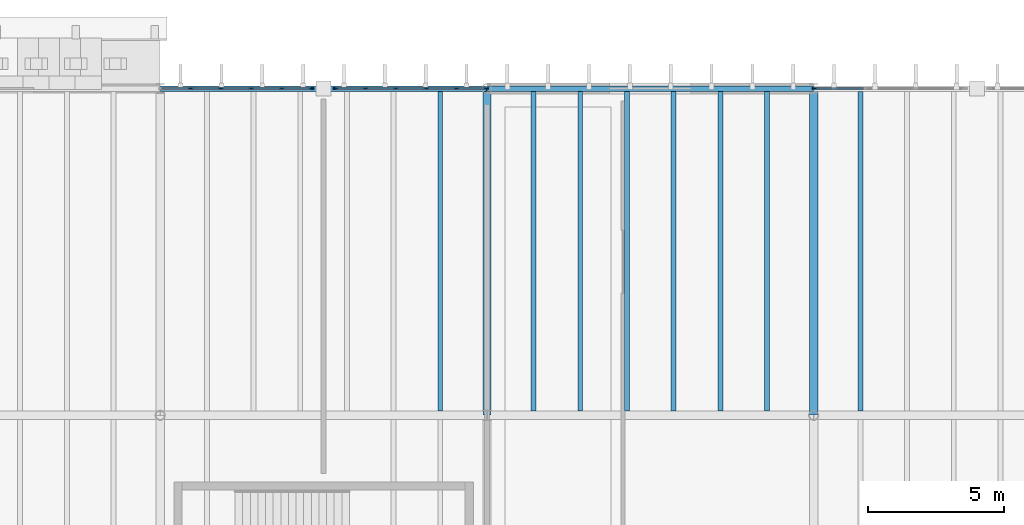
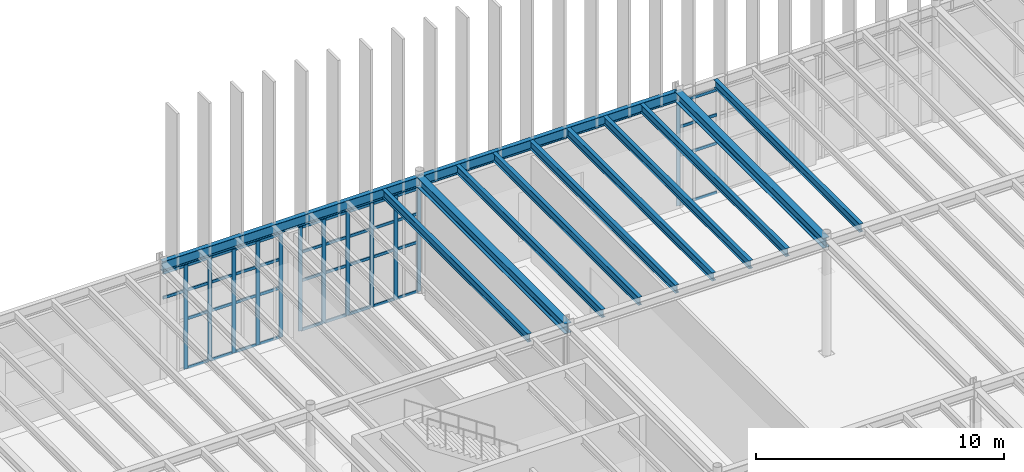
# One storey, part 21 of 83: 54 members, 12 beams, 3 elements without a shape of their own.
"""IFC4 building model written with IfcOpenShell, lengths in metres."""

from ifc_helpers import new_model, si_unit, direction, frame, origin, origin_2d, place, context, subcontext, project, spatial, rectangle, i_section, extrude, material, layer, layer_set, material_profile, profile_set, type_object, element, aggregate, save


model = new_model("IFC4")

# Units and contexts
model_context = context("Model", 3, precision=1e-05, world=origin(), true_north=direction((0.0, 1.0)))
body_context = subcontext(model_context, "Body", "Model", "MODEL_VIEW")
ifc_project = project(units=[si_unit("LENGTHUNIT", "METRE"), si_unit("AREAUNIT", "SQUARE_METRE"), si_unit("VOLUMEUNIT", "CUBIC_METRE"), si_unit("PLANEANGLEUNIT", "RADIAN"), si_unit("MASSUNIT", "GRAM", prefix="KILO")], contexts=[model_context])

# Site, building, storey
site_placement = place(None, origin())
site = spatial("IfcSite", under=ifc_project, at=site_placement, CompositionType="ELEMENT")
building_placement = place(site_placement, origin())
building = spatial("IfcBuilding", under=site, at=building_placement, Name="Zlatogorsky Bluff Art Gallery", CompositionType="ELEMENT")
storey_placement = place(building_placement, frame((0.0, 0.0, 10.800048828125)))
storey = spatial("IfcBuildingStorey", under=building, at=storey_placement, Name="L02", CompositionType="ELEMENT", Elevation=10.800048828125)

# Beams
ifc_material_1 = material(Name="Steel S355", Category="steel")
ifc_material_profile_1 = material_profile(ifc_material_1, i_section(OverallWidth=0.300048828125, OverallDepth=0.489990234375, WebThickness=0.011962890625, FlangeThickness=0.02294921875, FilletRadius=0.027099609375, at=origin_2d()), Name="HEA 500")
ifc_profile_set_1 = profile_set([ifc_material_profile_1], Name="Steel S355")
beam_type_1 = type_object("IfcBeamType", Name="Beam BM-07 HEA 500", PredefinedType="BEAM", material=ifc_profile_set_1)
for number, where, z_axis, x_axis, name in (
    (1, (48.0, 108.014892578125, 5.445068359375), (0.0, 1.0, 0.0), (-1.0, 0.0, 0.0), "Primary girder BM-07 L02 E/11-12"),
    (2, (60.0, 108.014892578125, 5.445068359375), (0.0, 1.0, 0.0), (-1.0, 0.0, 0.0), "Primary girder BM-07 L02 F/11-12"),
):
    element("IfcBeam", number, at=place(storey_placement, frame(where, z_axis=z_axis, x_axis=x_axis)), inside=storey, type_object=beam_type_1, Name=name, PredefinedType="BEAM", context=body_context, shape_type="SweptSolid", body=[
        extrude(i_section(OverallWidth=0.300048828125, OverallDepth=0.489990234375, WebThickness=0.011962890625, FlangeThickness=0.02294921875, FilletRadius=0.027099609375, at=origin_2d()), origin(), (0.0, 0.0, 1.0), 11.97021484375),
    ])
ifc_material_profile_2 = material_profile(ifc_material_1, i_section(OverallWidth=0.179931640625, OverallDepth=0.39990234375, WebThickness=0.008544921875, FlangeThickness=0.013427734375, FilletRadius=0.02099609375, at=origin_2d()), Name="IPE 400")
ifc_profile_set_2 = profile_set([ifc_material_profile_2], Name="Steel S355")
beam_type_2 = type_object("IfcBeamType", Name="Beam JS-05 IPE 400", PredefinedType="JOIST", material=ifc_profile_set_2)
for number, where, z_axis, x_axis, name in (
    (3, (46.28564453125, 108.14990234375, 5.489990234375), (0.0, 1.0, 0.0), (-1.0, 0.0, 0.0), "Composite floor joist JS-05 L02 03.10.6"),
    (4, (49.71435546875, 108.14990234375, 5.489990234375), (0.0, 1.0, 0.0), (-1.0, 0.0, 0.0), "Composite floor joist JS-05 L02 04.10.1"),
    (5, (51.428466796875, 108.14990234375, 5.489990234375), (0.0, 1.0, 0.0), (-1.0, 0.0, 0.0), "Composite floor joist JS-05 L02 04.10.2"),
    (6, (53.142822265625, 108.14990234375, 5.489990234375), (0.0, 1.0, 0.0), (-1.0, 0.0, 0.0), "Composite floor joist JS-05 L02 04.10.3"),
    (7, (54.857177734375, 108.14990234375, 5.489990234375), (0.0, 1.0, 0.0), (-1.0, 0.0, 0.0), "Composite floor joist JS-05 L02 04.10.4"),
    (8, (56.571533203125, 108.14990234375, 5.489990234375), (0.0, 1.0, 0.0), (-1.0, 0.0, 0.0), "Composite floor joist JS-05 L02 04.10.5"),
    (9, (58.28564453125, 108.14990234375, 5.489990234375), (0.0, 1.0, 0.0), (-1.0, 0.0, 0.0), "Composite floor joist JS-05 L02 04.10.6"),
    (10, (61.71435546875, 108.14990234375, 5.489990234375), (0.0, 1.0, 0.0), (-1.0, 0.0, 0.0), "Composite floor joist JS-05 L02 05.10.1"),
):
    element("IfcBeam", number, at=place(storey_placement, frame(where, z_axis=z_axis, x_axis=x_axis)), inside=storey, type_object=beam_type_2, Name=name, PredefinedType="JOIST", context=body_context, shape_type="SweptSolid", body=[
        extrude(i_section(OverallWidth=0.179931640625, OverallDepth=0.39990234375, WebThickness=0.008544921875, FlangeThickness=0.013427734375, FilletRadius=0.02099609375, at=origin_2d()), origin(), (0.0, 0.0, 1.0), 11.75),
    ])
ifc_material_profile_3 = material_profile(ifc_material_1, i_section(OverallWidth=0.199951171875, OverallDepth=0.5, WebThickness=0.01025390625, FlangeThickness=0.01611328125, FilletRadius=0.02099609375, at=origin_2d()), Name="IPE 500")
ifc_profile_set_3 = profile_set([ifc_material_profile_3], Name="Steel S355")
beam_type_3 = type_object("IfcBeamType", Name="Beam SP-01 IPE 500", PredefinedType="SPANDREL", material=ifc_profile_set_3)
for number, where, z_axis, x_axis, name in (
    (11, (36.014892578125, 120.0, 5.43994140625), (1.0, 0.0, 0.0), (0.0, 1.0, 0.0), "Primary girder SP-01 L02 D-E/12"),
    (12, (48.014892578125, 120.0, 5.43994140625), (1.0, 0.0, 0.0), (0.0, 1.0, 0.0), "Primary girder SP-01 L02 E-F/12"),
):
    element("IfcBeam", number, at=place(storey_placement, frame(where, z_axis=z_axis, x_axis=x_axis)), inside=storey, type_object=beam_type_3, Name=name, PredefinedType="SPANDREL", context=body_context, shape_type="SweptSolid", body=[
        extrude(i_section(OverallWidth=0.199951171875, OverallDepth=0.5, WebThickness=0.01025390625, FlangeThickness=0.01611328125, FilletRadius=0.02099609375, at=origin_2d()), origin(), (0.0, 0.0, 1.0), 11.97021484375),
    ])

# Curtain wall, members
ifc_material_2 = material(Name="Anodised Bronze Aluminium and Low-Iron Triple Glazing", Category="aluminium")
ifc_layer_1 = layer(ifc_material_2, 0.179931640625)
ifc_layer_set_1 = layer_set([ifc_layer_1], Name="Curtain Wall CW-03")
curtain_wall_type_1 = type_object("IfcCurtainWallType", Name="Curtain Wall CW-03", PredefinedType="USERDEFINED", material=ifc_layer_set_1)
curtain_wall_1_placement = place(storey_placement, origin())
curtain_wall_1 = element("IfcCurtainWall", 13, at=curtain_wall_1_placement, inside=storey, type_object=curtain_wall_type_1, Name="Unitised curtain wall CW-03 L02 N 3.10-A", ObjectType="CURTAIN WALL", PredefinedType="USERDEFINED")
ifc_material_3 = material(Name="Anodised Bronze Aluminium", Category="aluminium")
ifc_material_profile_4 = material_profile(ifc_material_3, rectangle(XDim=0.06494140625, YDim=0.179931640625, at=origin_2d()), Name="ALU MULLION 65x180")
ifc_profile_set_4 = profile_set([ifc_material_profile_4], Name="Anodised Bronze Aluminium")
member_type_1 = type_object("IfcMemberType", Name="Curtain Mullion ML-01", PredefinedType="MULLION", material=ifc_profile_set_4)
member_1_placement = place(storey_placement, frame((47.967529296875, 120.0, 0.0), z_axis=(0.0, 0.0, 1.0), x_axis=(0.0, -1.0, 0.0)))
member_1 = element("IfcMember", 14, at=member_1_placement, type_object=member_type_1, Name="CW-03 mullion 1", PredefinedType="MULLION", context=body_context, shape_type="SweptSolid", body=[
    extrude(rectangle(XDim=0.06494140625, YDim=0.179931640625, at=origin_2d()), origin(), (0.0, 0.0, 1.0), 5.10986328125),
])
member_2_placement = place(storey_placement, frame((46.884033203125, 120.0, 0.0), z_axis=(0.0, 0.0, 1.0), x_axis=(0.0, -1.0, 0.0)))
member_2 = element("IfcMember", 15, at=member_2_placement, type_object=member_type_1, Name="CW-03 mullion 2", PredefinedType="MULLION", context=body_context, shape_type="SweptSolid", body=[
    extrude(rectangle(XDim=0.06494140625, YDim=0.179931640625, at=origin_2d()), origin(), (0.0, 0.0, 1.0), 5.10986328125),
])
member_3_placement = place(storey_placement, frame((45.76806640625, 120.0, 0.0), z_axis=(0.0, 0.0, 1.0), x_axis=(0.0, -1.0, 0.0)))
member_3 = element("IfcMember", 16, at=member_3_placement, type_object=member_type_1, Name="CW-03 mullion 3", PredefinedType="MULLION", context=body_context, shape_type="SweptSolid", body=[
    extrude(rectangle(XDim=0.06494140625, YDim=0.179931640625, at=origin_2d()), origin(), (0.0, 0.0, 1.0), 5.10986328125),
])
member_4_placement = place(storey_placement, frame((44.652099609375, 120.0, 0.0), z_axis=(0.0, 0.0, 1.0), x_axis=(0.0, -1.0, 0.0)))
member_4 = element("IfcMember", 17, at=member_4_placement, type_object=member_type_1, Name="CW-03 mullion 4", PredefinedType="MULLION", context=body_context, shape_type="SweptSolid", body=[
    extrude(rectangle(XDim=0.06494140625, YDim=0.179931640625, at=origin_2d()), origin(), (0.0, 0.0, 1.0), 5.10986328125),
])
member_5_placement = place(storey_placement, frame((43.535888671875, 120.0, 0.0), z_axis=(0.0, 0.0, 1.0), x_axis=(0.0, -1.0, 0.0)))
member_5 = element("IfcMember", 18, at=member_5_placement, type_object=member_type_1, Name="CW-03 mullion 5", PredefinedType="MULLION", context=body_context, shape_type="SweptSolid", body=[
    extrude(rectangle(XDim=0.06494140625, YDim=0.179931640625, at=origin_2d()), origin(), (0.0, 0.0, 1.0), 5.10986328125),
])
member_6_placement = place(storey_placement, frame((42.452392578125, 120.0, 0.0), z_axis=(0.0, 0.0, 1.0), x_axis=(0.0, -1.0, 0.0)))
member_6 = element("IfcMember", 19, at=member_6_placement, type_object=member_type_1, Name="CW-03 mullion 6", PredefinedType="MULLION", context=body_context, shape_type="SweptSolid", body=[
    extrude(rectangle(XDim=0.06494140625, YDim=0.179931640625, at=origin_2d()), origin(), (0.0, 0.0, 1.0), 5.10986328125),
])

curtain_wall_2_placement = place(storey_placement, origin())
curtain_wall_2 = element("IfcCurtainWall", 20, at=curtain_wall_2_placement, inside=storey, type_object=curtain_wall_type_1, Name="Unitised curtain wall CW-03 L02 N 3.10-B", ObjectType="CURTAIN WALL", PredefinedType="USERDEFINED")
member_7_placement = place(storey_placement, frame((41.547607421875, 120.0, 0.0), z_axis=(0.0, 0.0, 1.0), x_axis=(0.0, -1.0, 0.0)))
member_7 = element("IfcMember", 21, at=member_7_placement, type_object=member_type_1, Name="CW-03 mullion 1", PredefinedType="MULLION", context=body_context, shape_type="SweptSolid", body=[
    extrude(rectangle(XDim=0.06494140625, YDim=0.179931640625, at=origin_2d()), origin(), (0.0, 0.0, 1.0), 5.10986328125),
])
member_8_placement = place(storey_placement, frame((40.464111328125, 120.0, 0.0), z_axis=(0.0, 0.0, 1.0), x_axis=(0.0, -1.0, 0.0)))
member_8 = element("IfcMember", 22, at=member_8_placement, type_object=member_type_1, Name="CW-03 mullion 2", PredefinedType="MULLION", context=body_context, shape_type="SweptSolid", body=[
    extrude(rectangle(XDim=0.06494140625, YDim=0.179931640625, at=origin_2d()), origin(), (0.0, 0.0, 1.0), 5.10986328125),
])
member_9_placement = place(storey_placement, frame((39.347900390625, 120.0, 0.0), z_axis=(0.0, 0.0, 1.0), x_axis=(0.0, -1.0, 0.0)))
member_9 = element("IfcMember", 23, at=member_9_placement, type_object=member_type_1, Name="CW-03 mullion 3", PredefinedType="MULLION", context=body_context, shape_type="SweptSolid", body=[
    extrude(rectangle(XDim=0.06494140625, YDim=0.179931640625, at=origin_2d()), origin(), (0.0, 0.0, 1.0), 5.10986328125),
])
member_10_placement = place(storey_placement, frame((38.23193359375, 120.0, 0.0), z_axis=(0.0, 0.0, 1.0), x_axis=(0.0, -1.0, 0.0)))
member_10 = element("IfcMember", 24, at=member_10_placement, type_object=member_type_1, Name="CW-03 mullion 4", PredefinedType="MULLION", context=body_context, shape_type="SweptSolid", body=[
    extrude(rectangle(XDim=0.06494140625, YDim=0.179931640625, at=origin_2d()), origin(), (0.0, 0.0, 1.0), 5.10986328125),
])
member_11_placement = place(storey_placement, frame((37.115966796875, 120.0, 0.0), z_axis=(0.0, 0.0, 1.0), x_axis=(0.0, -1.0, 0.0)))
member_11 = element("IfcMember", 25, at=member_11_placement, type_object=member_type_1, Name="CW-03 mullion 5", PredefinedType="MULLION", context=body_context, shape_type="SweptSolid", body=[
    extrude(rectangle(XDim=0.06494140625, YDim=0.179931640625, at=origin_2d()), origin(), (0.0, 0.0, 1.0), 5.10986328125),
])

# Curtain wall, member
ifc_layer_2 = layer(ifc_material_2, 0.219970703125)
ifc_layer_set_2 = layer_set([ifc_layer_2], Name="Curtain Wall CW-04")
curtain_wall_type_2 = type_object("IfcCurtainWallType", Name="Curtain Wall CW-04", PredefinedType="USERDEFINED", material=ifc_layer_set_2)
curtain_wall_3_placement = place(storey_placement, origin())
curtain_wall_3 = element("IfcCurtainWall", 26, at=curtain_wall_3_placement, inside=storey, type_object=curtain_wall_type_2, Name="Unitised curtain wall CW-04 L02 N 5.10-B", ObjectType="CURTAIN WALL", PredefinedType="USERDEFINED")
member_12_placement = place(storey_placement, frame((60.032470703125, 120.0, 0.0), z_axis=(0.0, 0.0, 1.0), x_axis=(0.0, -1.0, 0.0)))
member_12 = element("IfcMember", 27, at=member_12_placement, type_object=member_type_1, Name="CW-04 mullion 4", PredefinedType="MULLION", context=body_context, shape_type="SweptSolid", body=[
    extrude(rectangle(XDim=0.06494140625, YDim=0.179931640625, at=origin_2d()), origin(), (0.0, 0.0, 1.0), 5.10986328125),
])

# Member
ifc_material_profile_5 = material_profile(ifc_material_3, rectangle(XDim=0.06494140625, YDim=0.139892578125, at=origin_2d()), Name="ALU TRANSOM 65x140")
ifc_profile_set_5 = profile_set([ifc_material_profile_5], Name="Anodised Bronze Aluminium")
member_type_2 = type_object("IfcMemberType", Name="Curtain Transom TR-01", PredefinedType="USERDEFINED", material=ifc_profile_set_5)
member_13_placement = place(storey_placement, frame((47.93505859375, 120.0, 0.032470703125), z_axis=(-1.0, 0.0, 0.0), x_axis=(0.0, -1.0, 0.0)))
member_13 = element("IfcMember", 28, at=member_13_placement, type_object=member_type_2, Name="CW-03 transom 1.1", ObjectType="TRANSOM", PredefinedType="USERDEFINED", context=body_context, shape_type="SweptSolid", body=[
    extrude(rectangle(XDim=0.06494140625, YDim=0.139892578125, at=origin_2d()), origin(), (0.0, 0.0, 1.0), 1.0185546875),
])

member_14_placement = place(storey_placement, frame((47.93505859375, 120.0, 2.449951171875), z_axis=(-1.0, 0.0, 0.0), x_axis=(0.0, -1.0, 0.0)))
member_14 = element("IfcMember", 29, at=member_14_placement, type_object=member_type_2, Name="CW-03 transom 1.2", ObjectType="TRANSOM", PredefinedType="USERDEFINED", context=body_context, shape_type="SweptSolid", body=[
    extrude(rectangle(XDim=0.06494140625, YDim=0.139892578125, at=origin_2d()), origin(), (0.0, 0.0, 1.0), 1.0185546875),
])

member_15_placement = place(storey_placement, frame((47.93505859375, 120.0, 3.849853515625), z_axis=(-1.0, 0.0, 0.0), x_axis=(0.0, -1.0, 0.0)))
member_15 = element("IfcMember", 30, at=member_15_placement, type_object=member_type_2, Name="CW-03 transom 1.3", ObjectType="TRANSOM", PredefinedType="USERDEFINED", context=body_context, shape_type="SweptSolid", body=[
    extrude(rectangle(XDim=0.06494140625, YDim=0.139892578125, at=origin_2d()), origin(), (0.0, 0.0, 1.0), 1.0185546875),
])

member_16_placement = place(storey_placement, frame((47.93505859375, 120.0, 5.077392578125), z_axis=(-1.0, 0.0, 0.0), x_axis=(0.0, -1.0, 0.0)))
member_16 = element("IfcMember", 31, at=member_16_placement, type_object=member_type_2, Name="CW-03 transom 1.4", ObjectType="TRANSOM", PredefinedType="USERDEFINED", context=body_context, shape_type="SweptSolid", body=[
    extrude(rectangle(XDim=0.06494140625, YDim=0.139892578125, at=origin_2d()), origin(), (0.0, 0.0, 1.0), 1.0185546875),
])

member_17_placement = place(storey_placement, frame((46.8515625, 120.0, 0.032470703125), z_axis=(-1.0, 0.0, 0.0), x_axis=(0.0, -1.0, 0.0)))
member_17 = element("IfcMember", 32, at=member_17_placement, type_object=member_type_2, Name="CW-03 transom 2.1", ObjectType="TRANSOM", PredefinedType="USERDEFINED", context=body_context, shape_type="SweptSolid", body=[
    extrude(rectangle(XDim=0.06494140625, YDim=0.139892578125, at=origin_2d()), origin(), (0.0, 0.0, 1.0), 1.051025390625),
])

member_18_placement = place(storey_placement, frame((46.8515625, 120.0, 2.449951171875), z_axis=(-1.0, 0.0, 0.0), x_axis=(0.0, -1.0, 0.0)))
member_18 = element("IfcMember", 33, at=member_18_placement, type_object=member_type_2, Name="CW-03 transom 2.2", ObjectType="TRANSOM", PredefinedType="USERDEFINED", context=body_context, shape_type="SweptSolid", body=[
    extrude(rectangle(XDim=0.06494140625, YDim=0.139892578125, at=origin_2d()), origin(), (0.0, 0.0, 1.0), 1.051025390625),
])

member_19_placement = place(storey_placement, frame((46.8515625, 120.0, 3.849853515625), z_axis=(-1.0, 0.0, 0.0), x_axis=(0.0, -1.0, 0.0)))
member_19 = element("IfcMember", 34, at=member_19_placement, type_object=member_type_2, Name="CW-03 transom 2.3", ObjectType="TRANSOM", PredefinedType="USERDEFINED", context=body_context, shape_type="SweptSolid", body=[
    extrude(rectangle(XDim=0.06494140625, YDim=0.139892578125, at=origin_2d()), origin(), (0.0, 0.0, 1.0), 1.051025390625),
])

member_20_placement = place(storey_placement, frame((46.8515625, 120.0, 5.077392578125), z_axis=(-1.0, 0.0, 0.0), x_axis=(0.0, -1.0, 0.0)))
member_20 = element("IfcMember", 35, at=member_20_placement, type_object=member_type_2, Name="CW-03 transom 2.4", ObjectType="TRANSOM", PredefinedType="USERDEFINED", context=body_context, shape_type="SweptSolid", body=[
    extrude(rectangle(XDim=0.06494140625, YDim=0.139892578125, at=origin_2d()), origin(), (0.0, 0.0, 1.0), 1.051025390625),
])

member_21_placement = place(storey_placement, frame((45.735595703125, 120.0, 0.032470703125), z_axis=(-1.0, 0.0, 0.0), x_axis=(0.0, -1.0, 0.0)))
member_21 = element("IfcMember", 36, at=member_21_placement, type_object=member_type_2, Name="CW-03 transom 3.1", ObjectType="TRANSOM", PredefinedType="USERDEFINED", context=body_context, shape_type="SweptSolid", body=[
    extrude(rectangle(XDim=0.06494140625, YDim=0.139892578125, at=origin_2d()), origin(), (0.0, 0.0, 1.0), 1.051025390625),
])

member_22_placement = place(storey_placement, frame((45.735595703125, 120.0, 2.449951171875), z_axis=(-1.0, 0.0, 0.0), x_axis=(0.0, -1.0, 0.0)))
member_22 = element("IfcMember", 37, at=member_22_placement, type_object=member_type_2, Name="CW-03 transom 3.2", ObjectType="TRANSOM", PredefinedType="USERDEFINED", context=body_context, shape_type="SweptSolid", body=[
    extrude(rectangle(XDim=0.06494140625, YDim=0.139892578125, at=origin_2d()), origin(), (0.0, 0.0, 1.0), 1.051025390625),
])

member_23_placement = place(storey_placement, frame((45.735595703125, 120.0, 3.849853515625), z_axis=(-1.0, 0.0, 0.0), x_axis=(0.0, -1.0, 0.0)))
member_23 = element("IfcMember", 38, at=member_23_placement, type_object=member_type_2, Name="CW-03 transom 3.3", ObjectType="TRANSOM", PredefinedType="USERDEFINED", context=body_context, shape_type="SweptSolid", body=[
    extrude(rectangle(XDim=0.06494140625, YDim=0.139892578125, at=origin_2d()), origin(), (0.0, 0.0, 1.0), 1.051025390625),
])

member_24_placement = place(storey_placement, frame((45.735595703125, 120.0, 5.077392578125), z_axis=(-1.0, 0.0, 0.0), x_axis=(0.0, -1.0, 0.0)))
member_24 = element("IfcMember", 39, at=member_24_placement, type_object=member_type_2, Name="CW-03 transom 3.4", ObjectType="TRANSOM", PredefinedType="USERDEFINED", context=body_context, shape_type="SweptSolid", body=[
    extrude(rectangle(XDim=0.06494140625, YDim=0.139892578125, at=origin_2d()), origin(), (0.0, 0.0, 1.0), 1.051025390625),
])

member_25_placement = place(storey_placement, frame((44.619384765625, 120.0, 0.032470703125), z_axis=(-1.0, 0.0, 0.0), x_axis=(0.0, -1.0, 0.0)))
member_25 = element("IfcMember", 40, at=member_25_placement, type_object=member_type_2, Name="CW-03 transom 4.1", ObjectType="TRANSOM", PredefinedType="USERDEFINED", context=body_context, shape_type="SweptSolid", body=[
    extrude(rectangle(XDim=0.06494140625, YDim=0.139892578125, at=origin_2d()), origin(), (0.0, 0.0, 1.0), 1.05078125),
])

member_26_placement = place(storey_placement, frame((44.619384765625, 120.0, 2.449951171875), z_axis=(-1.0, 0.0, 0.0), x_axis=(0.0, -1.0, 0.0)))
member_26 = element("IfcMember", 41, at=member_26_placement, type_object=member_type_2, Name="CW-03 transom 4.2", ObjectType="TRANSOM", PredefinedType="USERDEFINED", context=body_context, shape_type="SweptSolid", body=[
    extrude(rectangle(XDim=0.06494140625, YDim=0.139892578125, at=origin_2d()), origin(), (0.0, 0.0, 1.0), 1.05078125),
])

member_27_placement = place(storey_placement, frame((44.619384765625, 120.0, 3.849853515625), z_axis=(-1.0, 0.0, 0.0), x_axis=(0.0, -1.0, 0.0)))
member_27 = element("IfcMember", 42, at=member_27_placement, type_object=member_type_2, Name="CW-03 transom 4.3", ObjectType="TRANSOM", PredefinedType="USERDEFINED", context=body_context, shape_type="SweptSolid", body=[
    extrude(rectangle(XDim=0.06494140625, YDim=0.139892578125, at=origin_2d()), origin(), (0.0, 0.0, 1.0), 1.05078125),
])

member_28_placement = place(storey_placement, frame((44.619384765625, 120.0, 5.077392578125), z_axis=(-1.0, 0.0, 0.0), x_axis=(0.0, -1.0, 0.0)))
member_28 = element("IfcMember", 43, at=member_28_placement, type_object=member_type_2, Name="CW-03 transom 4.4", ObjectType="TRANSOM", PredefinedType="USERDEFINED", context=body_context, shape_type="SweptSolid", body=[
    extrude(rectangle(XDim=0.06494140625, YDim=0.139892578125, at=origin_2d()), origin(), (0.0, 0.0, 1.0), 1.05078125),
])

member_29_placement = place(storey_placement, frame((43.50341796875, 120.0, 0.032470703125), z_axis=(-1.0, 0.0, 0.0), x_axis=(0.0, -1.0, 0.0)))
member_29 = element("IfcMember", 44, at=member_29_placement, type_object=member_type_2, Name="CW-03 transom 5.1", ObjectType="TRANSOM", PredefinedType="USERDEFINED", context=body_context, shape_type="SweptSolid", body=[
    extrude(rectangle(XDim=0.06494140625, YDim=0.139892578125, at=origin_2d()), origin(), (0.0, 0.0, 1.0), 1.018310546875),
])

member_30_placement = place(storey_placement, frame((43.50341796875, 120.0, 2.449951171875), z_axis=(-1.0, 0.0, 0.0), x_axis=(0.0, -1.0, 0.0)))
member_30 = element("IfcMember", 45, at=member_30_placement, type_object=member_type_2, Name="CW-03 transom 5.2", ObjectType="TRANSOM", PredefinedType="USERDEFINED", context=body_context, shape_type="SweptSolid", body=[
    extrude(rectangle(XDim=0.06494140625, YDim=0.139892578125, at=origin_2d()), origin(), (0.0, 0.0, 1.0), 1.018310546875),
])

member_31_placement = place(storey_placement, frame((43.50341796875, 120.0, 3.849853515625), z_axis=(-1.0, 0.0, 0.0), x_axis=(0.0, -1.0, 0.0)))
member_31 = element("IfcMember", 46, at=member_31_placement, type_object=member_type_2, Name="CW-03 transom 5.3", ObjectType="TRANSOM", PredefinedType="USERDEFINED", context=body_context, shape_type="SweptSolid", body=[
    extrude(rectangle(XDim=0.06494140625, YDim=0.139892578125, at=origin_2d()), origin(), (0.0, 0.0, 1.0), 1.018310546875),
])

member_32_placement = place(storey_placement, frame((43.50341796875, 120.0, 5.077392578125), z_axis=(-1.0, 0.0, 0.0), x_axis=(0.0, -1.0, 0.0)))
member_32 = element("IfcMember", 47, at=member_32_placement, type_object=member_type_2, Name="CW-03 transom 5.4", ObjectType="TRANSOM", PredefinedType="USERDEFINED", context=body_context, shape_type="SweptSolid", body=[
    extrude(rectangle(XDim=0.06494140625, YDim=0.139892578125, at=origin_2d()), origin(), (0.0, 0.0, 1.0), 1.018310546875),
])

aggregate(curtain_wall_1, [member_1, member_2, member_3, member_4, member_5, member_6, member_13, member_14, member_15, member_16, member_17, member_18, member_19, member_20, member_21, member_22, member_23, member_24, member_25, member_26, member_27, member_28, member_29, member_30, member_31, member_32])

member_33_placement = place(storey_placement, frame((41.514892578125, 120.0, 0.032470703125), z_axis=(-1.0, 0.0, 0.0), x_axis=(0.0, -1.0, 0.0)))
member_33 = element("IfcMember", 48, at=member_33_placement, type_object=member_type_2, Name="CW-03 transom 1.1", ObjectType="TRANSOM", PredefinedType="USERDEFINED", context=body_context, shape_type="SweptSolid", body=[
    extrude(rectangle(XDim=0.06494140625, YDim=0.139892578125, at=origin_2d()), origin(), (0.0, 0.0, 1.0), 1.018310546875),
])

member_34_placement = place(storey_placement, frame((41.514892578125, 120.0, 2.449951171875), z_axis=(-1.0, 0.0, 0.0), x_axis=(0.0, -1.0, 0.0)))
member_34 = element("IfcMember", 49, at=member_34_placement, type_object=member_type_2, Name="CW-03 transom 1.2", ObjectType="TRANSOM", PredefinedType="USERDEFINED", context=body_context, shape_type="SweptSolid", body=[
    extrude(rectangle(XDim=0.06494140625, YDim=0.139892578125, at=origin_2d()), origin(), (0.0, 0.0, 1.0), 1.018310546875),
])

member_35_placement = place(storey_placement, frame((41.514892578125, 120.0, 3.849853515625), z_axis=(-1.0, 0.0, 0.0), x_axis=(0.0, -1.0, 0.0)))
member_35 = element("IfcMember", 50, at=member_35_placement, type_object=member_type_2, Name="CW-03 transom 1.3", ObjectType="TRANSOM", PredefinedType="USERDEFINED", context=body_context, shape_type="SweptSolid", body=[
    extrude(rectangle(XDim=0.06494140625, YDim=0.139892578125, at=origin_2d()), origin(), (0.0, 0.0, 1.0), 1.018310546875),
])

member_36_placement = place(storey_placement, frame((41.514892578125, 120.0, 5.077392578125), z_axis=(-1.0, 0.0, 0.0), x_axis=(0.0, -1.0, 0.0)))
member_36 = element("IfcMember", 51, at=member_36_placement, type_object=member_type_2, Name="CW-03 transom 1.4", ObjectType="TRANSOM", PredefinedType="USERDEFINED", context=body_context, shape_type="SweptSolid", body=[
    extrude(rectangle(XDim=0.06494140625, YDim=0.139892578125, at=origin_2d()), origin(), (0.0, 0.0, 1.0), 1.018310546875),
])

member_37_placement = place(storey_placement, frame((40.431396484375, 120.0, 0.032470703125), z_axis=(-1.0, 0.0, 0.0), x_axis=(0.0, -1.0, 0.0)))
member_37 = element("IfcMember", 52, at=member_37_placement, type_object=member_type_2, Name="CW-03 transom 2.1", ObjectType="TRANSOM", PredefinedType="USERDEFINED", context=body_context, shape_type="SweptSolid", body=[
    extrude(rectangle(XDim=0.06494140625, YDim=0.139892578125, at=origin_2d()), origin(), (0.0, 0.0, 1.0), 1.05078125),
])

member_38_placement = place(storey_placement, frame((40.431396484375, 120.0, 2.449951171875), z_axis=(-1.0, 0.0, 0.0), x_axis=(0.0, -1.0, 0.0)))
member_38 = element("IfcMember", 53, at=member_38_placement, type_object=member_type_2, Name="CW-03 transom 2.2", ObjectType="TRANSOM", PredefinedType="USERDEFINED", context=body_context, shape_type="SweptSolid", body=[
    extrude(rectangle(XDim=0.06494140625, YDim=0.139892578125, at=origin_2d()), origin(), (0.0, 0.0, 1.0), 1.05078125),
])

member_39_placement = place(storey_placement, frame((40.431396484375, 120.0, 3.849853515625), z_axis=(-1.0, 0.0, 0.0), x_axis=(0.0, -1.0, 0.0)))
member_39 = element("IfcMember", 54, at=member_39_placement, type_object=member_type_2, Name="CW-03 transom 2.3", ObjectType="TRANSOM", PredefinedType="USERDEFINED", context=body_context, shape_type="SweptSolid", body=[
    extrude(rectangle(XDim=0.06494140625, YDim=0.139892578125, at=origin_2d()), origin(), (0.0, 0.0, 1.0), 1.05078125),
])

member_40_placement = place(storey_placement, frame((40.431396484375, 120.0, 5.077392578125), z_axis=(-1.0, 0.0, 0.0), x_axis=(0.0, -1.0, 0.0)))
member_40 = element("IfcMember", 55, at=member_40_placement, type_object=member_type_2, Name="CW-03 transom 2.4", ObjectType="TRANSOM", PredefinedType="USERDEFINED", context=body_context, shape_type="SweptSolid", body=[
    extrude(rectangle(XDim=0.06494140625, YDim=0.139892578125, at=origin_2d()), origin(), (0.0, 0.0, 1.0), 1.05078125),
])

member_41_placement = place(storey_placement, frame((39.3154296875, 120.0, 0.032470703125), z_axis=(-1.0, 0.0, 0.0), x_axis=(0.0, -1.0, 0.0)))
member_41 = element("IfcMember", 56, at=member_41_placement, type_object=member_type_2, Name="CW-03 transom 3.1", ObjectType="TRANSOM", PredefinedType="USERDEFINED", context=body_context, shape_type="SweptSolid", body=[
    extrude(rectangle(XDim=0.06494140625, YDim=0.139892578125, at=origin_2d()), origin(), (0.0, 0.0, 1.0), 1.051025390625),
])

member_42_placement = place(storey_placement, frame((39.3154296875, 120.0, 2.449951171875), z_axis=(-1.0, 0.0, 0.0), x_axis=(0.0, -1.0, 0.0)))
member_42 = element("IfcMember", 57, at=member_42_placement, type_object=member_type_2, Name="CW-03 transom 3.2", ObjectType="TRANSOM", PredefinedType="USERDEFINED", context=body_context, shape_type="SweptSolid", body=[
    extrude(rectangle(XDim=0.06494140625, YDim=0.139892578125, at=origin_2d()), origin(), (0.0, 0.0, 1.0), 1.051025390625),
])

member_43_placement = place(storey_placement, frame((39.3154296875, 120.0, 3.849853515625), z_axis=(-1.0, 0.0, 0.0), x_axis=(0.0, -1.0, 0.0)))
member_43 = element("IfcMember", 58, at=member_43_placement, type_object=member_type_2, Name="CW-03 transom 3.3", ObjectType="TRANSOM", PredefinedType="USERDEFINED", context=body_context, shape_type="SweptSolid", body=[
    extrude(rectangle(XDim=0.06494140625, YDim=0.139892578125, at=origin_2d()), origin(), (0.0, 0.0, 1.0), 1.051025390625),
])

member_44_placement = place(storey_placement, frame((39.3154296875, 120.0, 5.077392578125), z_axis=(-1.0, 0.0, 0.0), x_axis=(0.0, -1.0, 0.0)))
member_44 = element("IfcMember", 59, at=member_44_placement, type_object=member_type_2, Name="CW-03 transom 3.4", ObjectType="TRANSOM", PredefinedType="USERDEFINED", context=body_context, shape_type="SweptSolid", body=[
    extrude(rectangle(XDim=0.06494140625, YDim=0.139892578125, at=origin_2d()), origin(), (0.0, 0.0, 1.0), 1.051025390625),
])

member_45_placement = place(storey_placement, frame((38.199462890625, 120.0, 0.032470703125), z_axis=(-1.0, 0.0, 0.0), x_axis=(0.0, -1.0, 0.0)))
member_45 = element("IfcMember", 60, at=member_45_placement, type_object=member_type_2, Name="CW-03 transom 4.1", ObjectType="TRANSOM", PredefinedType="USERDEFINED", context=body_context, shape_type="SweptSolid", body=[
    extrude(rectangle(XDim=0.06494140625, YDim=0.139892578125, at=origin_2d()), origin(), (0.0, 0.0, 1.0), 1.051025390625),
])

member_46_placement = place(storey_placement, frame((38.199462890625, 120.0, 2.449951171875), z_axis=(-1.0, 0.0, 0.0), x_axis=(0.0, -1.0, 0.0)))
member_46 = element("IfcMember", 61, at=member_46_placement, type_object=member_type_2, Name="CW-03 transom 4.2", ObjectType="TRANSOM", PredefinedType="USERDEFINED", context=body_context, shape_type="SweptSolid", body=[
    extrude(rectangle(XDim=0.06494140625, YDim=0.139892578125, at=origin_2d()), origin(), (0.0, 0.0, 1.0), 1.051025390625),
])

member_47_placement = place(storey_placement, frame((38.199462890625, 120.0, 3.849853515625), z_axis=(-1.0, 0.0, 0.0), x_axis=(0.0, -1.0, 0.0)))
member_47 = element("IfcMember", 62, at=member_47_placement, type_object=member_type_2, Name="CW-03 transom 4.3", ObjectType="TRANSOM", PredefinedType="USERDEFINED", context=body_context, shape_type="SweptSolid", body=[
    extrude(rectangle(XDim=0.06494140625, YDim=0.139892578125, at=origin_2d()), origin(), (0.0, 0.0, 1.0), 1.051025390625),
])

member_48_placement = place(storey_placement, frame((38.199462890625, 120.0, 5.077392578125), z_axis=(-1.0, 0.0, 0.0), x_axis=(0.0, -1.0, 0.0)))
member_48 = element("IfcMember", 63, at=member_48_placement, type_object=member_type_2, Name="CW-03 transom 4.4", ObjectType="TRANSOM", PredefinedType="USERDEFINED", context=body_context, shape_type="SweptSolid", body=[
    extrude(rectangle(XDim=0.06494140625, YDim=0.139892578125, at=origin_2d()), origin(), (0.0, 0.0, 1.0), 1.051025390625),
])

member_49_placement = place(storey_placement, frame((37.08349609375, 120.0, 3.849853515625), z_axis=(-1.0, 0.0, 0.0), x_axis=(0.0, -1.0, 0.0)))
member_49 = element("IfcMember", 64, at=member_49_placement, type_object=member_type_2, Name="CW-03 transom 5.3", ObjectType="TRANSOM", PredefinedType="USERDEFINED", context=body_context, shape_type="SweptSolid", body=[
    extrude(rectangle(XDim=0.06494140625, YDim=0.139892578125, at=origin_2d()), origin(), (0.0, 0.0, 1.0), 1.0185546875),
])

member_50_placement = place(storey_placement, frame((37.08349609375, 120.0, 5.077392578125), z_axis=(-1.0, 0.0, 0.0), x_axis=(0.0, -1.0, 0.0)))
member_50 = element("IfcMember", 65, at=member_50_placement, type_object=member_type_2, Name="CW-03 transom 5.4", ObjectType="TRANSOM", PredefinedType="USERDEFINED", context=body_context, shape_type="SweptSolid", body=[
    extrude(rectangle(XDim=0.06494140625, YDim=0.139892578125, at=origin_2d()), origin(), (0.0, 0.0, 1.0), 1.0185546875),
])

aggregate(curtain_wall_2, [member_7, member_8, member_9, member_10, member_11, member_33, member_34, member_35, member_36, member_37, member_38, member_39, member_40, member_41, member_42, member_43, member_44, member_45, member_46, member_47, member_48, member_49, member_50])

member_51_placement = place(storey_placement, frame((61.827392578125, 120.0, 0.032470703125), z_axis=(-1.0, 0.0, 0.0), x_axis=(0.0, -1.0, 0.0)))
member_51 = element("IfcMember", 66, at=member_51_placement, type_object=member_type_2, Name="CW-04 transom 3.1", ObjectType="TRANSOM", PredefinedType="USERDEFINED", context=body_context, shape_type="SweptSolid", body=[
    extrude(rectangle(XDim=0.06494140625, YDim=0.139892578125, at=origin_2d()), origin(), (0.0, 0.0, 1.0), 1.762451171875),
])

member_52_placement = place(storey_placement, frame((61.827392578125, 120.0, 2.449951171875), z_axis=(-1.0, 0.0, 0.0), x_axis=(0.0, -1.0, 0.0)))
member_52 = element("IfcMember", 67, at=member_52_placement, type_object=member_type_2, Name="CW-04 transom 3.2", ObjectType="TRANSOM", PredefinedType="USERDEFINED", context=body_context, shape_type="SweptSolid", body=[
    extrude(rectangle(XDim=0.06494140625, YDim=0.139892578125, at=origin_2d()), origin(), (0.0, 0.0, 1.0), 1.762451171875),
])

member_53_placement = place(storey_placement, frame((61.827392578125, 120.0, 3.849853515625), z_axis=(-1.0, 0.0, 0.0), x_axis=(0.0, -1.0, 0.0)))
member_53 = element("IfcMember", 68, at=member_53_placement, type_object=member_type_2, Name="CW-04 transom 3.3", ObjectType="TRANSOM", PredefinedType="USERDEFINED", context=body_context, shape_type="SweptSolid", body=[
    extrude(rectangle(XDim=0.06494140625, YDim=0.139892578125, at=origin_2d()), origin(), (0.0, 0.0, 1.0), 1.762451171875),
])

member_54_placement = place(storey_placement, frame((61.827392578125, 120.0, 5.077392578125), z_axis=(-1.0, 0.0, 0.0), x_axis=(0.0, -1.0, 0.0)))
member_54 = element("IfcMember", 69, at=member_54_placement, type_object=member_type_2, Name="CW-04 transom 3.4", ObjectType="TRANSOM", PredefinedType="USERDEFINED", context=body_context, shape_type="SweptSolid", body=[
    extrude(rectangle(XDim=0.06494140625, YDim=0.139892578125, at=origin_2d()), origin(), (0.0, 0.0, 1.0), 1.762451171875),
])

aggregate(curtain_wall_3, [member_12, member_51, member_52, member_53, member_54])

save(model, "model.ifc")
